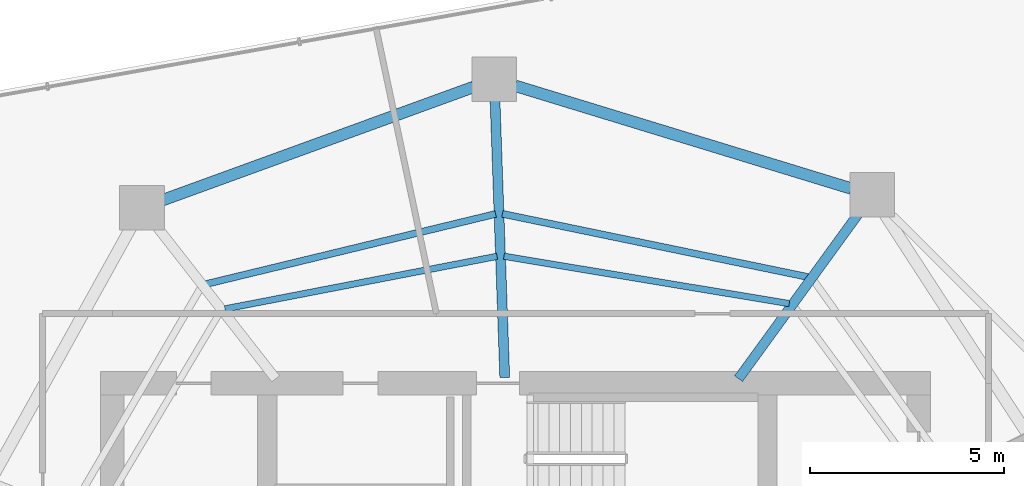
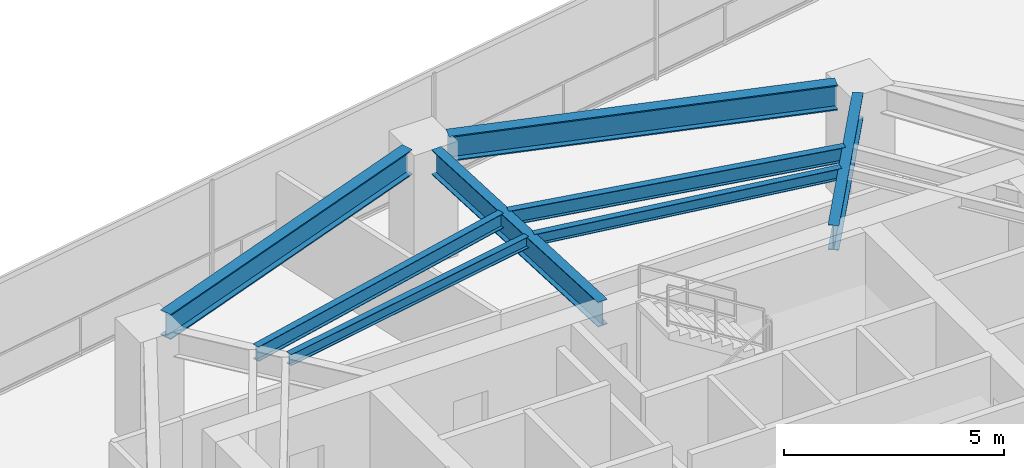
# One storey, part 17 of 27: 8 beams.
"""IFC4 building model written with IfcOpenShell, lengths in metres."""

from ifc_helpers import new_model, si_unit, direction, frame, origin, origin_2d, place, context, subcontext, project, spatial, i_section, extrude, material, material_profile, profile_set, type_object, element, save


model = new_model("IFC4")

# Units and contexts
model_context = context("Model", 3, precision=1e-05, world=origin(), true_north=direction((0.0, 1.0)))
body_context = subcontext(model_context, "Body", "Model", "MODEL_VIEW")
ifc_project = project(units=[si_unit("LENGTHUNIT", "METRE"), si_unit("AREAUNIT", "SQUARE_METRE"), si_unit("VOLUMEUNIT", "CUBIC_METRE"), si_unit("PLANEANGLEUNIT", "RADIAN"), si_unit("MASSUNIT", "GRAM", prefix="KILO")], contexts=[model_context])

# Site, building, storey
site_placement = place(None, origin())
site = spatial("IfcSite", under=ifc_project, at=site_placement, CompositionType="ELEMENT")
building_placement = place(site_placement, origin())
building = spatial("IfcBuilding", under=site, at=building_placement, Name="Qarnah Convention Tower", CompositionType="ELEMENT")
storey_placement = place(building_placement, frame((0.0, 0.0, 103.949951171875)))
storey = spatial("IfcBuildingStorey", under=building, at=storey_placement, Name="L27", CompositionType="ELEMENT", Elevation=103.949951171875)

# Beams
ifc_material = material(Name="Structural steel S355JR", Category="steel")
ifc_material_profile_1 = material_profile(ifc_material, i_section(OverallWidth=0.166015625, OverallDepth=0.31201171875, WebThickness=0.007080078125, FlangeThickness=0.010986328125, at=origin_2d()), Name="W310X45")
ifc_profile_set_1 = profile_set([ifc_material_profile_1], Name="Structural steel S355JR")
beam_type_1 = type_object("IfcBeamType", Name="BM-JST-W310", PredefinedType="JOIST", material=ifc_profile_set_1)
beam_1_placement = place(storey_placement, frame((44.260986328125, 36.257080078125, 3.01416015625), z_axis=(-0.986513960493, 0.163677138757, 0.0), x_axis=(-0.163677138757, -0.986513960493, 0.0)))
element("IfcBeam", 1, at=beam_1_placement, inside=storey, type_object=beam_type_1, Name="L27 joist BM-L27-IJST-02", PredefinedType="JOIST", context=body_context, shape_type="SweptSolid", body=[
    extrude(i_section(OverallWidth=0.166015625, OverallDepth=0.31201171875, WebThickness=0.007080078125, FlangeThickness=0.010986328125, at=origin_2d()), origin(), (0.0, 0.0, 1.0), 7.45947265625),
])
beam_2_placement = place(storey_placement, frame((36.72509765625, 37.47607421875, 3.01416015625), z_axis=(-0.981841874694, -0.189701167886, 0.0), x_axis=(0.189701167886, -0.981841874694, 0.0)))
element("IfcBeam", 2, at=beam_2_placement, inside=storey, type_object=beam_type_1, Name="L27 joist BM-L27-IJST-03", PredefinedType="JOIST", context=body_context, shape_type="SweptSolid", body=[
    extrude(i_section(OverallWidth=0.166015625, OverallDepth=0.31201171875, WebThickness=0.007080078125, FlangeThickness=0.010986328125, at=origin_2d()), origin(), (0.0, 0.0, 1.0), 7.14794921875),
])
ifc_material_profile_2 = material_profile(ifc_material, i_section(OverallWidth=0.177978515625, OverallDepth=0.407958984375, WebThickness=0.008056640625, FlangeThickness=0.012939453125, at=origin_2d()), Name="W410X60")
ifc_profile_set_2 = profile_set([ifc_material_profile_2], Name="Structural steel S355JR")
beam_type_2 = type_object("IfcBeamType", Name="BM-JST-W410", PredefinedType="JOIST", material=ifc_profile_set_2)
beam_3_placement = place(storey_placement, frame((44.757080078125, 36.93994140625, 2.966064453125), z_axis=(-0.979289211304, 0.202466393814, 0.0), x_axis=(-0.202466393814, -0.979289211304, 0.0)))
element("IfcBeam", 3, at=beam_3_placement, inside=storey, type_object=beam_type_2, Name="L27 joist BM-L27-SJST-02", PredefinedType="JOIST", context=body_context, shape_type="SweptSolid", body=[
    extrude(i_section(OverallWidth=0.177978515625, OverallDepth=0.407958984375, WebThickness=0.008056640625, FlangeThickness=0.012939453125, at=origin_2d()), origin(), (0.0, 0.0, 1.0), 8.06103515625),
])
beam_4_placement = place(storey_placement, frame((36.68798828125, 38.569091796875, 2.966064453125), z_axis=(-0.971933267781, -0.235256717183, 0.0), x_axis=(0.235256717183, -0.971933267781, 0.0)))
element("IfcBeam", 4, at=beam_4_placement, inside=storey, type_object=beam_type_2, Name="L27 joist BM-L27-SJST-03", PredefinedType="JOIST", context=body_context, shape_type="SweptSolid", body=[
    extrude(i_section(OverallWidth=0.177978515625, OverallDepth=0.407958984375, WebThickness=0.008056640625, FlangeThickness=0.012939453125, at=origin_2d()), origin(), (0.0, 0.0, 1.0), 7.694091796875),
])
ifc_material_profile_3 = material_profile(ifc_material, i_section(OverallWidth=0.25390625, OverallDepth=0.68798828125, WebThickness=0.012939453125, FlangeThickness=0.02099609375, at=origin_2d()), Name="W690X152")
ifc_profile_set_3 = profile_set([ifc_material_profile_3], Name="Structural steel S355JR")
beam_type_3 = type_object("IfcBeamType", Name="BM-RAD-W690", PredefinedType="BEAM", material=ifc_profile_set_3)
beam_5_placement = place(storey_placement, frame((42.955078125, 34.321044921875, 2.825927734375), z_axis=(0.587824069471, 0.808988790621, 0.0), x_axis=(-0.808988790621, 0.587824069471, 0.0)))
element("IfcBeam", 5, at=beam_5_placement, inside=storey, type_object=beam_type_3, Name="L27 beam BM-L27-RAD-02", PredefinedType="BEAM", context=body_context, shape_type="SweptSolid", body=[
    extrude(i_section(OverallWidth=0.25390625, OverallDepth=0.68798828125, WebThickness=0.012939453125, FlangeThickness=0.02099609375, at=origin_2d()), origin(), (0.0, 0.0, 1.0), 5.30419921875),
])
beam_6_placement = place(storey_placement, frame((36.923095703125, 34.35009765625, 2.825927734375), z_axis=(-0.035017005912, 0.99938671659, 0.0), x_axis=(-0.99938671659, -0.035017005912, 0.0)))
element("IfcBeam", 6, at=beam_6_placement, inside=storey, type_object=beam_type_3, Name="L27 beam BM-L27-RAD-03", PredefinedType="BEAM", context=body_context, shape_type="SweptSolid", body=[
    extrude(i_section(OverallWidth=0.25390625, OverallDepth=0.68798828125, WebThickness=0.012939453125, FlangeThickness=0.02099609375, at=origin_2d()), origin(), (0.0, 0.0, 1.0), 7.139404296875),
])
ifc_material_profile_4 = material_profile(ifc_material, i_section(OverallWidth=0.300048828125, OverallDepth=0.699951171875, WebThickness=0.01708984375, FlangeThickness=0.031982421875, at=origin_2d()), Name="HEB700")
ifc_profile_set_4 = profile_set([ifc_material_profile_4], Name="Structural steel S355JR")
beam_type_4 = type_object("IfcBeamType", Name="BM-RING-HEB700", PredefinedType="BEAM", material=ifc_profile_set_4)
beam_7_placement = place(storey_placement, frame((45.85888671875, 39.22607421875, 2.820068359375), z_axis=(-0.956309936148, 0.292354760565, 0.0), x_axis=(-0.292354760565, -0.956309936148, 0.0)))
element("IfcBeam", 7, at=beam_7_placement, inside=storey, type_object=beam_type_4, Name="L27 beam BM-L27-SPN-02", PredefinedType="BEAM", context=body_context, shape_type="SweptSolid", body=[
    extrude(i_section(OverallWidth=0.300048828125, OverallDepth=0.699951171875, WebThickness=0.01708984375, FlangeThickness=0.031982421875, at=origin_2d()), origin(), (0.0, 0.0, 1.0), 9.060546875),
])
beam_8_placement = place(storey_placement, frame((36.123046875, 41.846923828125, 2.820068359375), z_axis=(-0.939683226771, -0.342045952067, 0.0), x_axis=(0.342045952067, -0.939683226771, 0.0)))
element("IfcBeam", 8, at=beam_8_placement, inside=storey, type_object=beam_type_4, Name="L27 beam BM-L27-SPN-03", PredefinedType="BEAM", context=body_context, shape_type="SweptSolid", body=[
    extrude(i_section(OverallWidth=0.300048828125, OverallDepth=0.699951171875, WebThickness=0.01708984375, FlangeThickness=0.031982421875, at=origin_2d()), origin(), (0.0, 0.0, 1.0), 8.542236328125),
])

save(model, "model.ifc")
